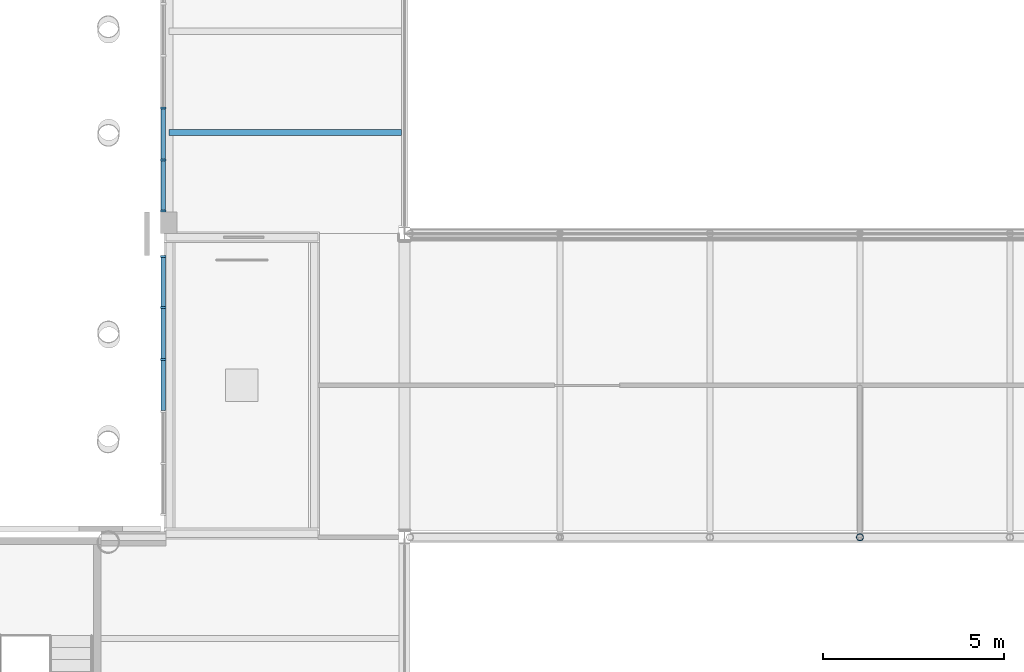
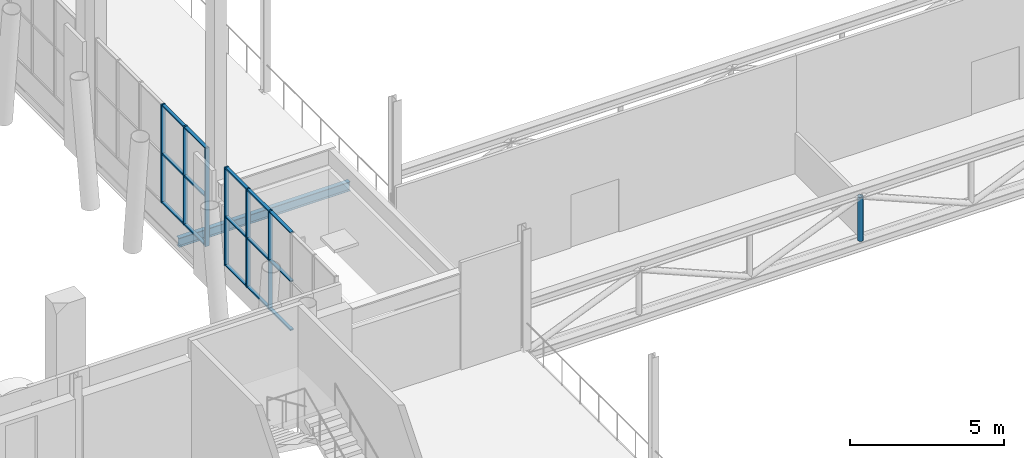
# One storey, part 14 of 76: 22 members, 1 beam, 2 elements without a shape of their own.
"""IFC4 building model written with IfcOpenShell, lengths in metres."""

from ifc_helpers import new_model, si_unit, direction, frame, origin, origin_2d, place, context, subcontext, project, spatial, rectangle, hollow_circle, i_section, extrude, material, material_profile, profile_set, type_object, element, aggregate, save


model = new_model("IFC4")

# Units and contexts
model_context = context("Model", 3, precision=1e-05, world=origin(), true_north=direction((0.0, 1.0)))
body_context = subcontext(model_context, "Body", "Model", "MODEL_VIEW")
ifc_project = project(units=[si_unit("LENGTHUNIT", "METRE"), si_unit("AREAUNIT", "SQUARE_METRE"), si_unit("VOLUMEUNIT", "CUBIC_METRE"), si_unit("PLANEANGLEUNIT", "RADIAN"), si_unit("MASSUNIT", "GRAM", prefix="KILO")], contexts=[model_context])

# Site, building, storey
site_placement = place(None, origin())
site = spatial("IfcSite", under=ifc_project, at=site_placement, CompositionType="ELEMENT")
building_placement = place(site_placement, origin())
building = spatial("IfcBuilding", under=site, at=building_placement, Name="Sava Quay Ferry Terminal", CompositionType="ELEMENT")
storey_placement = place(building_placement, frame((0.0, 0.0, 6.0)))
storey = spatial("IfcBuildingStorey", under=building, at=storey_placement, Name="L01", CompositionType="ELEMENT", Elevation=6.0)

# Beam
ifc_material_1 = material(Name="Steel S355", Category="steel")
ifc_material_profile_1 = material_profile(ifc_material_1, i_section(OverallWidth=0.169921875, OverallDepth=0.360107421875, WebThickness=0.008056640625, FlangeThickness=0.0126953125, at=origin_2d()), Name="IPE 360")
ifc_profile_set_1 = profile_set([ifc_material_profile_1], Name="Steel S355")
beam_type = type_object("IfcBeamType", Name="Beam IPE 360", PredefinedType="BEAM", material=ifc_profile_set_1)
beam_placement = place(storey_placement, frame((43.889892578125, 61.60009765625, -0.31005859375), z_axis=(1.0, 0.0, 0.0), x_axis=(0.0, 1.0, 0.0)))
element("IfcBeam", 1, at=beam_placement, inside=storey, type_object=beam_type, Name="Secondary beam L01", PredefinedType="BEAM", context=body_context, shape_type="SweptSolid", body=[
    extrude(i_section(OverallWidth=0.169921875, OverallDepth=0.360107421875, WebThickness=0.008056640625, FlangeThickness=0.0126953125, at=origin_2d()), origin(), (0.0, 0.0, 1.0), 6.420166015625),
])

# Member
ifc_material_2 = material(Name="Steel S355", Category="steel")
ifc_material_profile_2 = material_profile(ifc_material_2, hollow_circle(Radius=0.096923828125, WallThickness=0.008056640625, at=origin_2d()), Name="CHS 193.7 x 8")
ifc_profile_set_2 = profile_set([ifc_material_profile_2], Name="Steel S355")
member_type_1 = type_object("IfcMemberType", Name="Brace CHS 193.7 x 8", PredefinedType="BRACE", material=ifc_profile_set_2)
member_1_placement = place(storey_placement, frame((63.0, 50.39990234375, -0.1298828125), z_axis=(0.0, 0.0, 1.0), x_axis=(1.0, 0.0, 0.0)))
element("IfcMember", 2, at=member_1_placement, inside=storey, type_object=member_type_1, Name="Truss post 50.4", PredefinedType="BRACE", context=body_context, shape_type="SweptSolid", body=[
    extrude(hollow_circle(Radius=0.096923828125, WallThickness=0.008056640625, at=origin_2d()), origin(), (0.0, 0.0, 1.0), 1.739990234375),
])

# Curtain wall, members
ifc_material_3 = material(Name="Aluminium and glass curtain wall, double low-e glazed", Category="aluminium")
curtain_wall_type = type_object("IfcCurtainWallType", Name="Curtain wall CW-F flank", PredefinedType="NOTDEFINED", material=ifc_material_3)
curtain_wall_1_placement = place(storey_placement, origin())
curtain_wall_1 = element("IfcCurtainWall", 3, at=curtain_wall_1_placement, inside=storey, type_object=curtain_wall_type, Name="Curtain wall D-W L01 bay 1", PredefinedType="NOTDEFINED")
ifc_material_4 = material(Name="Aluminium EN AW-6063 T6", Category="aluminium")
ifc_material_profile_3 = material_profile(ifc_material_4, rectangle(XDim=0.14990234375, YDim=0.06005859375, at=origin_2d()), Name="Mullion 60x150 aluminium")
ifc_profile_set_3 = profile_set([ifc_material_profile_3], Name="Aluminium EN AW-6063 T6")
member_type_2 = type_object("IfcMemberType", Name="Mullion 60x150 aluminium", PredefinedType="MULLION", material=ifc_profile_set_3)
member_2_placement = place(storey_placement, frame((43.72509765625, 55.320068359375, 0.89990234375), z_axis=(0.0, 0.0, 1.0), x_axis=(-1.0, 0.0, 0.0)))
member_2 = element("IfcMember", 4, at=member_2_placement, type_object=member_type_2, Name="CW96 mullion 4", PredefinedType="MULLION", context=body_context, shape_type="SweptSolid", body=[
    extrude(rectangle(XDim=0.14990234375, YDim=0.06005859375, at=origin_2d()), origin(), (0.0, 0.0, 1.0), 3.900146484375),
])
member_3_placement = place(storey_placement, frame((43.72509765625, 56.760009765625, 0.89990234375), z_axis=(0.0, 0.0, 1.0), x_axis=(-1.0, 0.0, 0.0)))
member_3 = element("IfcMember", 5, at=member_3_placement, type_object=member_type_2, Name="CW96 mullion 5", PredefinedType="MULLION", context=body_context, shape_type="SweptSolid", body=[
    extrude(rectangle(XDim=0.14990234375, YDim=0.06005859375, at=origin_2d()), origin(), (0.0, 0.0, 1.0), 3.900146484375),
])
member_4_placement = place(storey_placement, frame((43.72509765625, 58.169921875, 0.89990234375), z_axis=(0.0, 0.0, 1.0), x_axis=(-1.0, 0.0, 0.0)))
member_4 = element("IfcMember", 6, at=member_4_placement, type_object=member_type_2, Name="CW96 mullion 6", PredefinedType="MULLION", context=body_context, shape_type="SweptSolid", body=[
    extrude(rectangle(XDim=0.14990234375, YDim=0.06005859375, at=origin_2d()), origin(), (0.0, 0.0, 1.0), 3.900146484375),
])

curtain_wall_2_placement = place(storey_placement, origin())
curtain_wall_2 = element("IfcCurtainWall", 7, at=curtain_wall_2_placement, inside=storey, type_object=curtain_wall_type, Name="Curtain wall D-W L01 bay 2", PredefinedType="NOTDEFINED")
member_5_placement = place(storey_placement, frame((43.72509765625, 59.429931640625, 0.89990234375), z_axis=(0.0, 0.0, 1.0), x_axis=(-1.0, 0.0, 0.0)))
member_5 = element("IfcMember", 8, at=member_5_placement, type_object=member_type_2, Name="CW100 mullion 1", PredefinedType="MULLION", context=body_context, shape_type="SweptSolid", body=[
    extrude(rectangle(XDim=0.14990234375, YDim=0.06005859375, at=origin_2d()), origin(), (0.0, 0.0, 1.0), 3.900146484375),
])
member_6_placement = place(storey_placement, frame((43.72509765625, 60.840087890625, 0.89990234375), z_axis=(0.0, 0.0, 1.0), x_axis=(-1.0, 0.0, 0.0)))
member_6 = element("IfcMember", 9, at=member_6_placement, type_object=member_type_2, Name="CW100 mullion 2", PredefinedType="MULLION", context=body_context, shape_type="SweptSolid", body=[
    extrude(rectangle(XDim=0.14990234375, YDim=0.06005859375, at=origin_2d()), origin(), (0.0, 0.0, 1.0), 3.900146484375),
])
member_7_placement = place(storey_placement, frame((43.72509765625, 62.280029296875, 0.89990234375), z_axis=(0.0, 0.0, 1.0), x_axis=(-1.0, 0.0, 0.0)))
member_7 = element("IfcMember", 10, at=member_7_placement, type_object=member_type_2, Name="CW100 mullion 3", PredefinedType="MULLION", context=body_context, shape_type="SweptSolid", body=[
    extrude(rectangle(XDim=0.14990234375, YDim=0.06005859375, at=origin_2d()), origin(), (0.0, 0.0, 1.0), 3.900146484375),
])

# Member
ifc_material_5 = material(Name="Aluminium EN AW-6063 T6", Category="aluminium")
ifc_material_profile_4 = material_profile(ifc_material_5, rectangle(XDim=0.1201171875, YDim=0.050048828125, at=origin_2d()), Name="Transom 50x120 aluminium")
ifc_profile_set_4 = profile_set([ifc_material_profile_4], Name="Aluminium EN AW-6063 T6")
member_type_3 = type_object("IfcMemberType", Name="Transom 50x120 aluminium", PredefinedType="USERDEFINED", material=ifc_profile_set_4)
member_8_placement = place(storey_placement, frame((43.72509765625, 53.909912109375, 0.925048828125), z_axis=(0.0, 1.0, 0.0), x_axis=(-1.0, 0.0, 0.0)))
member_8 = element("IfcMember", 11, at=member_8_placement, type_object=member_type_3, Name="CW96 transom 3.1", ObjectType="TRANSOM", PredefinedType="USERDEFINED", context=body_context, shape_type="SweptSolid", body=[
    extrude(rectangle(XDim=0.1201171875, YDim=0.050048828125, at=origin_2d()), origin(), (0.0, 0.0, 1.0), 1.380126953125),
])

member_9_placement = place(storey_placement, frame((43.72509765625, 53.909912109375, 2.85009765625), z_axis=(0.0, 1.0, 0.0), x_axis=(-1.0, 0.0, 0.0)))
member_9 = element("IfcMember", 12, at=member_9_placement, type_object=member_type_3, Name="CW96 transom 3.2", ObjectType="TRANSOM", PredefinedType="USERDEFINED", context=body_context, shape_type="SweptSolid", body=[
    extrude(rectangle(XDim=0.1201171875, YDim=0.050048828125, at=origin_2d()), origin(), (0.0, 0.0, 1.0), 1.380126953125),
])

member_10_placement = place(storey_placement, frame((43.72509765625, 53.909912109375, 4.77490234375), z_axis=(0.0, 1.0, 0.0), x_axis=(-1.0, 0.0, 0.0)))
member_10 = element("IfcMember", 13, at=member_10_placement, type_object=member_type_3, Name="CW96 transom 3.3", ObjectType="TRANSOM", PredefinedType="USERDEFINED", context=body_context, shape_type="SweptSolid", body=[
    extrude(rectangle(XDim=0.1201171875, YDim=0.050048828125, at=origin_2d()), origin(), (0.0, 0.0, 1.0), 1.380126953125),
])

member_11_placement = place(storey_placement, frame((43.72509765625, 55.35009765625, 0.925048828125), z_axis=(0.0, 1.0, 0.0), x_axis=(-1.0, 0.0, 0.0)))
member_11 = element("IfcMember", 14, at=member_11_placement, type_object=member_type_3, Name="CW96 transom 4.1", ObjectType="TRANSOM", PredefinedType="USERDEFINED", context=body_context, shape_type="SweptSolid", body=[
    extrude(rectangle(XDim=0.1201171875, YDim=0.050048828125, at=origin_2d()), origin(), (0.0, 0.0, 1.0), 1.3798828125),
])

member_12_placement = place(storey_placement, frame((43.72509765625, 55.35009765625, 2.85009765625), z_axis=(0.0, 1.0, 0.0), x_axis=(-1.0, 0.0, 0.0)))
member_12 = element("IfcMember", 15, at=member_12_placement, type_object=member_type_3, Name="CW96 transom 4.2", ObjectType="TRANSOM", PredefinedType="USERDEFINED", context=body_context, shape_type="SweptSolid", body=[
    extrude(rectangle(XDim=0.1201171875, YDim=0.050048828125, at=origin_2d()), origin(), (0.0, 0.0, 1.0), 1.3798828125),
])

member_13_placement = place(storey_placement, frame((43.72509765625, 55.35009765625, 4.77490234375), z_axis=(0.0, 1.0, 0.0), x_axis=(-1.0, 0.0, 0.0)))
member_13 = element("IfcMember", 16, at=member_13_placement, type_object=member_type_3, Name="CW96 transom 4.3", ObjectType="TRANSOM", PredefinedType="USERDEFINED", context=body_context, shape_type="SweptSolid", body=[
    extrude(rectangle(XDim=0.1201171875, YDim=0.050048828125, at=origin_2d()), origin(), (0.0, 0.0, 1.0), 1.3798828125),
])

member_14_placement = place(storey_placement, frame((43.72509765625, 56.7900390625, 0.925048828125), z_axis=(0.0, 1.0, 0.0), x_axis=(-1.0, 0.0, 0.0)))
member_14 = element("IfcMember", 17, at=member_14_placement, type_object=member_type_3, Name="CW96 transom 5.1", ObjectType="TRANSOM", PredefinedType="USERDEFINED", context=body_context, shape_type="SweptSolid", body=[
    extrude(rectangle(XDim=0.1201171875, YDim=0.050048828125, at=origin_2d()), origin(), (0.0, 0.0, 1.0), 1.349853515625),
])

member_15_placement = place(storey_placement, frame((43.72509765625, 56.7900390625, 2.85009765625), z_axis=(0.0, 1.0, 0.0), x_axis=(-1.0, 0.0, 0.0)))
member_15 = element("IfcMember", 18, at=member_15_placement, type_object=member_type_3, Name="CW96 transom 5.2", ObjectType="TRANSOM", PredefinedType="USERDEFINED", context=body_context, shape_type="SweptSolid", body=[
    extrude(rectangle(XDim=0.1201171875, YDim=0.050048828125, at=origin_2d()), origin(), (0.0, 0.0, 1.0), 1.349853515625),
])

member_16_placement = place(storey_placement, frame((43.72509765625, 56.7900390625, 4.77490234375), z_axis=(0.0, 1.0, 0.0), x_axis=(-1.0, 0.0, 0.0)))
member_16 = element("IfcMember", 19, at=member_16_placement, type_object=member_type_3, Name="CW96 transom 5.3", ObjectType="TRANSOM", PredefinedType="USERDEFINED", context=body_context, shape_type="SweptSolid", body=[
    extrude(rectangle(XDim=0.1201171875, YDim=0.050048828125, at=origin_2d()), origin(), (0.0, 0.0, 1.0), 1.349853515625),
])

aggregate(curtain_wall_1, [member_2, member_3, member_4, member_8, member_9, member_10, member_11, member_12, member_13, member_14, member_15, member_16])

member_17_placement = place(storey_placement, frame((43.72509765625, 59.4599609375, 0.925048828125), z_axis=(0.0, 1.0, 0.0), x_axis=(-1.0, 0.0, 0.0)))
member_17 = element("IfcMember", 20, at=member_17_placement, type_object=member_type_3, Name="CW100 transom 1.1", ObjectType="TRANSOM", PredefinedType="USERDEFINED", context=body_context, shape_type="SweptSolid", body=[
    extrude(rectangle(XDim=0.1201171875, YDim=0.050048828125, at=origin_2d()), origin(), (0.0, 0.0, 1.0), 1.35009765625),
])

member_18_placement = place(storey_placement, frame((43.72509765625, 59.4599609375, 2.85009765625), z_axis=(0.0, 1.0, 0.0), x_axis=(-1.0, 0.0, 0.0)))
member_18 = element("IfcMember", 21, at=member_18_placement, type_object=member_type_3, Name="CW100 transom 1.2", ObjectType="TRANSOM", PredefinedType="USERDEFINED", context=body_context, shape_type="SweptSolid", body=[
    extrude(rectangle(XDim=0.1201171875, YDim=0.050048828125, at=origin_2d()), origin(), (0.0, 0.0, 1.0), 1.35009765625),
])

member_19_placement = place(storey_placement, frame((43.72509765625, 59.4599609375, 4.77490234375), z_axis=(0.0, 1.0, 0.0), x_axis=(-1.0, 0.0, 0.0)))
member_19 = element("IfcMember", 22, at=member_19_placement, type_object=member_type_3, Name="CW100 transom 1.3", ObjectType="TRANSOM", PredefinedType="USERDEFINED", context=body_context, shape_type="SweptSolid", body=[
    extrude(rectangle(XDim=0.1201171875, YDim=0.050048828125, at=origin_2d()), origin(), (0.0, 0.0, 1.0), 1.35009765625),
])

member_20_placement = place(storey_placement, frame((43.72509765625, 60.8701171875, 0.925048828125), z_axis=(0.0, 1.0, 0.0), x_axis=(-1.0, 0.0, 0.0)))
member_20 = element("IfcMember", 23, at=member_20_placement, type_object=member_type_3, Name="CW100 transom 2.1", ObjectType="TRANSOM", PredefinedType="USERDEFINED", context=body_context, shape_type="SweptSolid", body=[
    extrude(rectangle(XDim=0.1201171875, YDim=0.050048828125, at=origin_2d()), origin(), (0.0, 0.0, 1.0), 1.3798828125),
])

member_21_placement = place(storey_placement, frame((43.72509765625, 60.8701171875, 2.85009765625), z_axis=(0.0, 1.0, 0.0), x_axis=(-1.0, 0.0, 0.0)))
member_21 = element("IfcMember", 24, at=member_21_placement, type_object=member_type_3, Name="CW100 transom 2.2", ObjectType="TRANSOM", PredefinedType="USERDEFINED", context=body_context, shape_type="SweptSolid", body=[
    extrude(rectangle(XDim=0.1201171875, YDim=0.050048828125, at=origin_2d()), origin(), (0.0, 0.0, 1.0), 1.3798828125),
])

member_22_placement = place(storey_placement, frame((43.72509765625, 60.8701171875, 4.77490234375), z_axis=(0.0, 1.0, 0.0), x_axis=(-1.0, 0.0, 0.0)))
member_22 = element("IfcMember", 25, at=member_22_placement, type_object=member_type_3, Name="CW100 transom 2.3", ObjectType="TRANSOM", PredefinedType="USERDEFINED", context=body_context, shape_type="SweptSolid", body=[
    extrude(rectangle(XDim=0.1201171875, YDim=0.050048828125, at=origin_2d()), origin(), (0.0, 0.0, 1.0), 1.3798828125),
])

aggregate(curtain_wall_2, [member_5, member_6, member_7, member_17, member_18, member_19, member_20, member_21, member_22])

save(model, "model.ifc")
